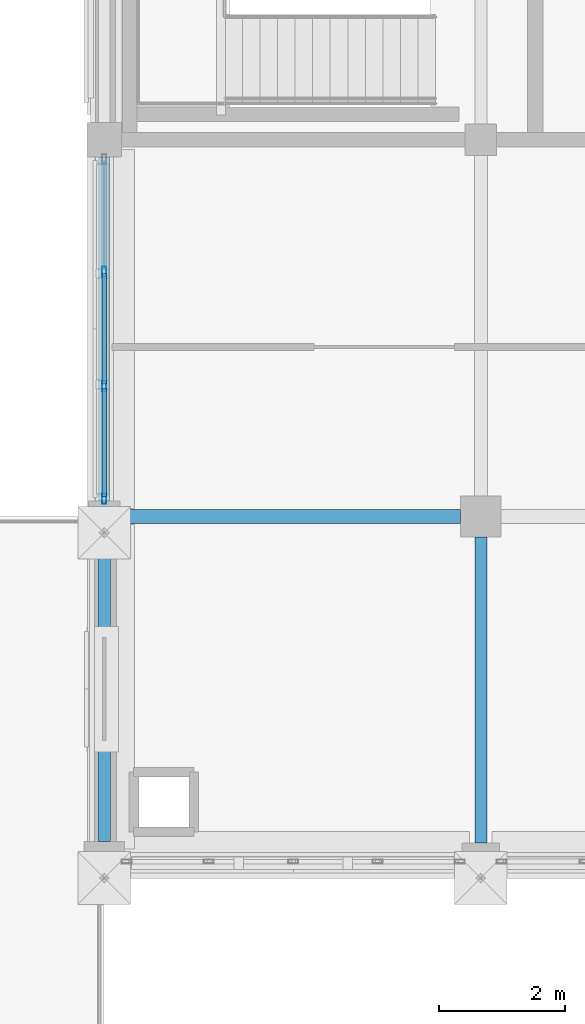
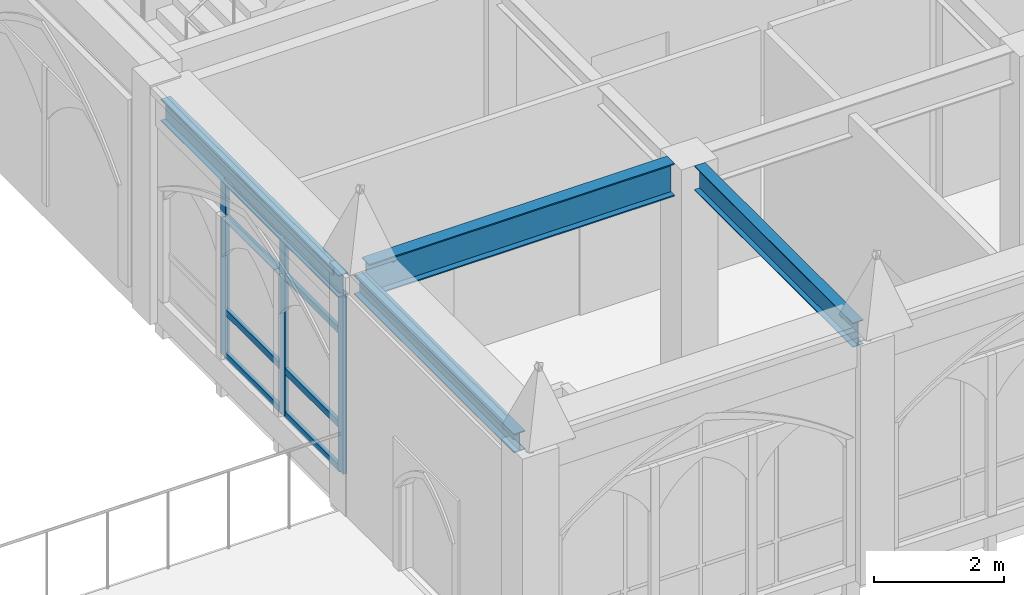
# One storey, part 43 of 143: 11 members, 4 beams, 1 element without a shape of its own.
"""IFC4 building model written with IfcOpenShell, lengths in metres."""

from ifc_helpers import new_model, si_unit, direction, frame, origin, origin_2d, place, context, subcontext, project, spatial, hollow_rectangle, i_section, extrude, material, layer, layer_set, material_profile, profile_set, type_object, element, aggregate, save


model = new_model("IFC4")

# Units and contexts
model_context = context("Model", 3, precision=1e-05, world=origin(), true_north=direction((0.0, 1.0)))
body_context = subcontext(model_context, "Body", "Model", "MODEL_VIEW")
ifc_project = project(units=[si_unit("LENGTHUNIT", "METRE"), si_unit("AREAUNIT", "SQUARE_METRE"), si_unit("VOLUMEUNIT", "CUBIC_METRE"), si_unit("PLANEANGLEUNIT", "RADIAN"), si_unit("MASSUNIT", "GRAM", prefix="KILO")], contexts=[model_context])

# Site, building, storey
site_placement = place(None, origin())
site = spatial("IfcSite", under=ifc_project, at=site_placement, CompositionType="ELEMENT")
building_placement = place(site_placement, origin())
building = spatial("IfcBuilding", under=site, at=building_placement, Name="Cumevento Cable Car Station", CompositionType="ELEMENT")
storey_placement = place(building_placement, frame((0.0, 0.0, 9.0)))
storey = spatial("IfcBuildingStorey", under=building, at=storey_placement, Name="L03", CompositionType="ELEMENT", Elevation=9.0)

# Curtain wall, members
ifc_material_1 = material(Name="Anodised Bronze Aluminium AW-6063-T6", Category="aluminium")
ifc_layer = layer(ifc_material_1, 0.243896484375)
ifc_layer_set = layer_set([ifc_layer], Name="Anodised Bronze Aluminium AW-6063-T6")
curtain_wall_type = type_object("IfcCurtainWallType", Name="Lancet Curtain Wall CW-15 1610", PredefinedType="NOTDEFINED", material=ifc_layer_set)
curtain_wall_placement = place(storey_placement, origin())
curtain_wall = element("IfcCurtainWall", 1, at=curtain_wall_placement, inside=storey, type_object=curtain_wall_type, Name="Lancet Curtain Wall CW-15 L03 #126", PredefinedType="NOTDEFINED")
ifc_material_2 = material(Name="Anodised Bronze Aluminium AW-6063-T6", Category="aluminium")
ifc_material_profile_1 = material_profile(ifc_material_2, hollow_rectangle(XDim=0.06494140625, YDim=0.159912109375, WallThickness=0.00390625, at=origin_2d()), Name="ALUM65x160x4")
ifc_profile_set_1 = profile_set([ifc_material_profile_1], Name="Anodised Bronze Aluminium AW-6063-T6")
member_type_1 = type_object("IfcMemberType", Name="Curtain Mullion CWM-01 ALUM65x160x4", PredefinedType="MULLION", material=ifc_profile_set_1)
member_1_placement = place(storey_placement, frame((118.0, 15.282470703125, 0.4599609375), z_axis=(0.0, 0.0, 1.0), x_axis=(-1.0, 0.0, 0.0)))
member_1 = element("IfcMember", 2, at=member_1_placement, type_object=member_type_1, Name="CW-15 mullion 1", PredefinedType="MULLION", context=body_context, shape_type="SweptSolid", body=[
    extrude(hollow_rectangle(XDim=0.06494140625, YDim=0.159912109375, WallThickness=0.00390625, at=origin_2d()), origin(), (0.0, 0.0, 1.0), 3.318115234375),
])
member_2_placement = place(storey_placement, frame((118.0, 17.074951171875, 0.4599609375), z_axis=(0.0, 0.0, 1.0), x_axis=(-1.0, 0.0, 0.0)))
member_2 = element("IfcMember", 3, at=member_2_placement, type_object=member_type_1, Name="CW-15 mullion 2", PredefinedType="MULLION", context=body_context, shape_type="SweptSolid", body=[
    extrude(hollow_rectangle(XDim=0.06494140625, YDim=0.159912109375, WallThickness=0.00390625, at=origin_2d()), origin(), (0.0, 0.0, 1.0), 3.318115234375),
])
member_3_placement = place(storey_placement, frame((118.0, 18.89990234375, 0.4599609375), z_axis=(0.0, 0.0, 1.0), x_axis=(-1.0, 0.0, 0.0)))
member_3 = element("IfcMember", 4, at=member_3_placement, type_object=member_type_1, Name="CW-15 mullion 3", PredefinedType="MULLION", context=body_context, shape_type="SweptSolid", body=[
    extrude(hollow_rectangle(XDim=0.06494140625, YDim=0.159912109375, WallThickness=0.00390625, at=origin_2d()), origin(), (0.0, 0.0, 1.0), 3.318115234375),
])
ifc_material_3 = material(Name="Anodised Bronze Aluminium AW-6063-T6", Category="aluminium")
ifc_material_profile_2 = material_profile(ifc_material_3, hollow_rectangle(XDim=0.06494140625, YDim=0.1201171875, WallThickness=0.00390625, at=origin_2d()), Name="ALUT65x120x4")
ifc_profile_set_2 = profile_set([ifc_material_profile_2], Name="Anodised Bronze Aluminium AW-6063-T6")
member_type_2 = type_object("IfcMemberType", Name="Curtain Transom CWT-01 ALUT65x120x4", PredefinedType="USERDEFINED", material=ifc_profile_set_2)
member_4_placement = place(storey_placement, frame((118.0, 15.31494140625, 0.492431640625), z_axis=(0.0, 1.0, 0.0), x_axis=(-1.0, 0.0, 0.0)))
member_4 = element("IfcMember", 5, at=member_4_placement, type_object=member_type_2, Name="CW-15 transom 1.1", ObjectType="TRANSOM", PredefinedType="USERDEFINED", context=body_context, shape_type="SweptSolid", body=[
    extrude(hollow_rectangle(XDim=0.06494140625, YDim=0.1201171875, WallThickness=0.00390625, at=origin_2d()), origin(), (0.0, 0.0, 1.0), 1.7275390625),
])
member_5_placement = place(storey_placement, frame((118.0, 15.31494140625, 1.31005859375), z_axis=(0.0, 1.0, 0.0), x_axis=(-1.0, 0.0, 0.0)))
member_5 = element("IfcMember", 6, at=member_5_placement, type_object=member_type_2, Name="CW-15 transom 1.2", ObjectType="TRANSOM", PredefinedType="USERDEFINED", context=body_context, shape_type="SweptSolid", body=[
    extrude(hollow_rectangle(XDim=0.06494140625, YDim=0.1201171875, WallThickness=0.00390625, at=origin_2d()), origin(), (0.0, 0.0, 1.0), 1.7275390625),
])
member_6_placement = place(storey_placement, frame((118.0, 15.31494140625, 3.077880859375), z_axis=(0.0, 1.0, 0.0), x_axis=(-1.0, 0.0, 0.0)))
member_6 = element("IfcMember", 7, at=member_6_placement, type_object=member_type_2, Name="CW-15 transom 1.3", ObjectType="TRANSOM", PredefinedType="USERDEFINED", context=body_context, shape_type="SweptSolid", body=[
    extrude(hollow_rectangle(XDim=0.06494140625, YDim=0.1201171875, WallThickness=0.00390625, at=origin_2d()), origin(), (0.0, 0.0, 1.0), 1.7275390625),
])
member_7_placement = place(storey_placement, frame((118.0, 15.31494140625, 3.74560546875), z_axis=(0.0, 1.0, 0.0), x_axis=(-1.0, 0.0, 0.0)))
member_7 = element("IfcMember", 8, at=member_7_placement, type_object=member_type_2, Name="CW-15 transom 1.4", ObjectType="TRANSOM", PredefinedType="USERDEFINED", context=body_context, shape_type="SweptSolid", body=[
    extrude(hollow_rectangle(XDim=0.06494140625, YDim=0.1201171875, WallThickness=0.00390625, at=origin_2d()), origin(), (0.0, 0.0, 1.0), 1.7275390625),
])
member_8_placement = place(storey_placement, frame((118.0, 17.107421875, 0.492431640625), z_axis=(0.0, 1.0, 0.0), x_axis=(-1.0, 0.0, 0.0)))
member_8 = element("IfcMember", 9, at=member_8_placement, type_object=member_type_2, Name="CW-15 transom 2.1", ObjectType="TRANSOM", PredefinedType="USERDEFINED", context=body_context, shape_type="SweptSolid", body=[
    extrude(hollow_rectangle(XDim=0.06494140625, YDim=0.1201171875, WallThickness=0.00390625, at=origin_2d()), origin(), (0.0, 0.0, 1.0), 1.760009765625),
])
member_9_placement = place(storey_placement, frame((118.0, 17.107421875, 1.31005859375), z_axis=(0.0, 1.0, 0.0), x_axis=(-1.0, 0.0, 0.0)))
member_9 = element("IfcMember", 10, at=member_9_placement, type_object=member_type_2, Name="CW-15 transom 2.2", ObjectType="TRANSOM", PredefinedType="USERDEFINED", context=body_context, shape_type="SweptSolid", body=[
    extrude(hollow_rectangle(XDim=0.06494140625, YDim=0.1201171875, WallThickness=0.00390625, at=origin_2d()), origin(), (0.0, 0.0, 1.0), 1.760009765625),
])
member_10_placement = place(storey_placement, frame((118.0, 17.107421875, 3.077880859375), z_axis=(0.0, 1.0, 0.0), x_axis=(-1.0, 0.0, 0.0)))
member_10 = element("IfcMember", 11, at=member_10_placement, type_object=member_type_2, Name="CW-15 transom 2.3", ObjectType="TRANSOM", PredefinedType="USERDEFINED", context=body_context, shape_type="SweptSolid", body=[
    extrude(hollow_rectangle(XDim=0.06494140625, YDim=0.1201171875, WallThickness=0.00390625, at=origin_2d()), origin(), (0.0, 0.0, 1.0), 1.760009765625),
])
member_11_placement = place(storey_placement, frame((118.0, 17.107421875, 3.74560546875), z_axis=(0.0, 1.0, 0.0), x_axis=(-1.0, 0.0, 0.0)))
member_11 = element("IfcMember", 12, at=member_11_placement, type_object=member_type_2, Name="CW-15 transom 2.4", ObjectType="TRANSOM", PredefinedType="USERDEFINED", context=body_context, shape_type="SweptSolid", body=[
    extrude(hollow_rectangle(XDim=0.06494140625, YDim=0.1201171875, WallThickness=0.00390625, at=origin_2d()), origin(), (0.0, 0.0, 1.0), 1.760009765625),
])
aggregate(curtain_wall, [member_1, member_2, member_3, member_4, member_5, member_6, member_7, member_8, member_9, member_10, member_11])

# Beams
ifc_material_4 = material(Name="Steel ASTM A572 Grade 50", Category="steel")
ifc_material_profile_3 = material_profile(ifc_material_4, i_section(OverallWidth=0.22998046875, OverallDepth=0.616943359375, WebThickness=0.01318359375, FlangeThickness=0.022216796875, at=origin_2d()), Name="W610x140.0")
ifc_profile_set_3 = profile_set([ifc_material_profile_3], Name="Steel ASTM A572 Grade 50")
beam_type_1 = type_object("IfcBeamType", Name="Structural Beam BM-01 W610x140.0", PredefinedType="BEAM", material=ifc_profile_set_3)
beam_1_placement = place(storey_placement, frame((118.25, 15.0, 4.19140625), z_axis=(1.0, 0.0, 0.0), x_axis=(0.0, 1.0, 0.0)))
element("IfcBeam", 13, at=beam_1_placement, inside=storey, type_object=beam_type_1, Name="Beam BM-01 L03 #1125", PredefinedType="BEAM", context=body_context, shape_type="SweptSolid", body=[
    extrude(i_section(OverallWidth=0.22998046875, OverallDepth=0.616943359375, WebThickness=0.01318359375, FlangeThickness=0.022216796875, at=origin_2d()), origin(), (0.0, 0.0, 1.0), 5.425048828125),
])
ifc_material_5 = material(Name="Steel ASTM A572 Grade 50", Category="steel")
ifc_material_profile_4 = material_profile(ifc_material_5, i_section(OverallWidth=0.18994140625, OverallDepth=0.45703125, WebThickness=0.009033203125, FlangeThickness=0.014404296875, at=origin_2d()), Name="W460x74.0")
ifc_profile_set_4 = profile_set([ifc_material_profile_4], Name="Steel ASTM A572 Grade 50")
beam_type_2 = type_object("IfcBeamType", Name="Structural Beam BM-04 W460x74.0", PredefinedType="BEAM", material=ifc_profile_set_4)
beam_2_placement = place(storey_placement, frame((124.0, 9.800048828125, 4.271484375), z_axis=(0.0, 1.0, 0.0), x_axis=(-1.0, 0.0, 0.0)))
element("IfcBeam", 14, at=beam_2_placement, inside=storey, type_object=beam_type_2, Name="Beam BM-04 L03 #1133", PredefinedType="BEAM", context=body_context, shape_type="SweptSolid", body=[
    extrude(i_section(OverallWidth=0.18994140625, OverallDepth=0.45703125, WebThickness=0.009033203125, FlangeThickness=0.014404296875, at=origin_2d()), origin(), (0.0, 0.0, 1.0), 4.875),
])
ifc_material_6 = material(Name="Steel ASTM A572 Grade 50", Category="steel")
ifc_material_profile_5 = material_profile(ifc_material_6, i_section(OverallWidth=0.205078125, OverallDepth=0.35400390625, WebThickness=0.009521484375, FlangeThickness=0.016845703125, at=origin_2d()), Name="W360x79.0")
ifc_profile_set_5 = profile_set([ifc_material_profile_5], Name="Steel ASTM A572 Grade 50")
beam_type_3 = type_object("IfcBeamType", Name="Structural Beam BM-05 W360x79.0", PredefinedType="BEAM", material=ifc_profile_set_5)
beam_3_placement = place(storey_placement, frame((118.0, 9.824951171875, 4.322998046875), z_axis=(0.0, 1.0, 0.0), x_axis=(-1.0, 0.0, 0.0)))
element("IfcBeam", 15, at=beam_3_placement, inside=storey, type_object=beam_type_3, Name="Beam BM-05 L03 #1131", PredefinedType="BEAM", context=body_context, shape_type="SweptSolid", body=[
    extrude(i_section(OverallWidth=0.205078125, OverallDepth=0.35400390625, WebThickness=0.009521484375, FlangeThickness=0.016845703125, at=origin_2d()), origin(), (0.0, 0.0, 1.0), 4.925048828125),
])
ifc_material_7 = material(Name="Steel ASTM A572 Grade 50", Category="steel")
ifc_material_profile_6 = material_profile(ifc_material_7, i_section(OverallWidth=0.177978515625, OverallDepth=0.406982421875, WebThickness=0.0078125, FlangeThickness=0.0126953125, at=origin_2d()), Name="W410x60.0")
ifc_profile_set_6 = profile_set([ifc_material_profile_6], Name="Steel ASTM A572 Grade 50")
beam_type_4 = type_object("IfcBeamType", Name="Structural Spandrel SP-01 W410x60.0", PredefinedType="SPANDREL", material=ifc_profile_set_6)
beam_4_placement = place(storey_placement, frame((118.0, 15.25, 3.9814453125), z_axis=(0.0, 1.0, 0.0), x_axis=(-1.0, 0.0, 0.0)))
element("IfcBeam", 16, at=beam_4_placement, inside=storey, type_object=beam_type_4, Name="Beam SP-01 L03 #1132", PredefinedType="SPANDREL", context=body_context, shape_type="SweptSolid", body=[
    extrude(i_section(OverallWidth=0.177978515625, OverallDepth=0.406982421875, WebThickness=0.0078125, FlangeThickness=0.0126953125, at=origin_2d()), origin(), (0.0, 0.0, 1.0), 5.47509765625),
])

save(model, "model.ifc")
